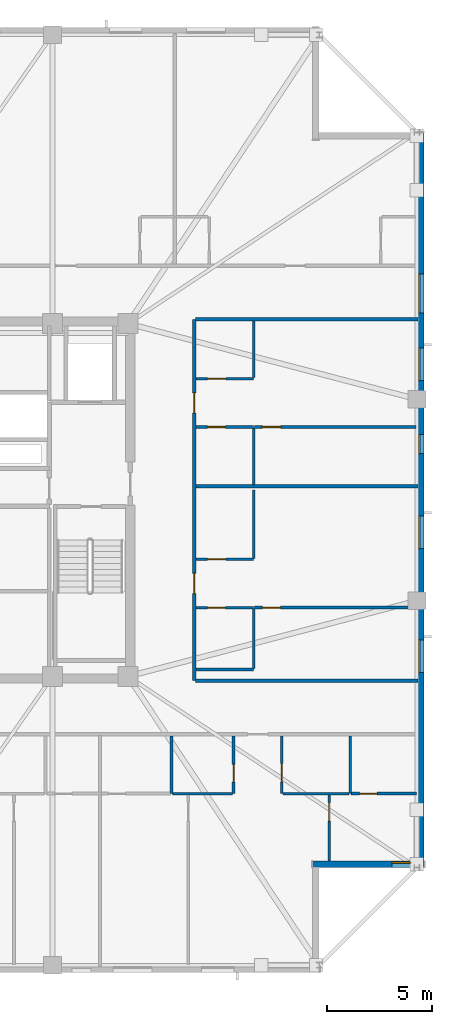
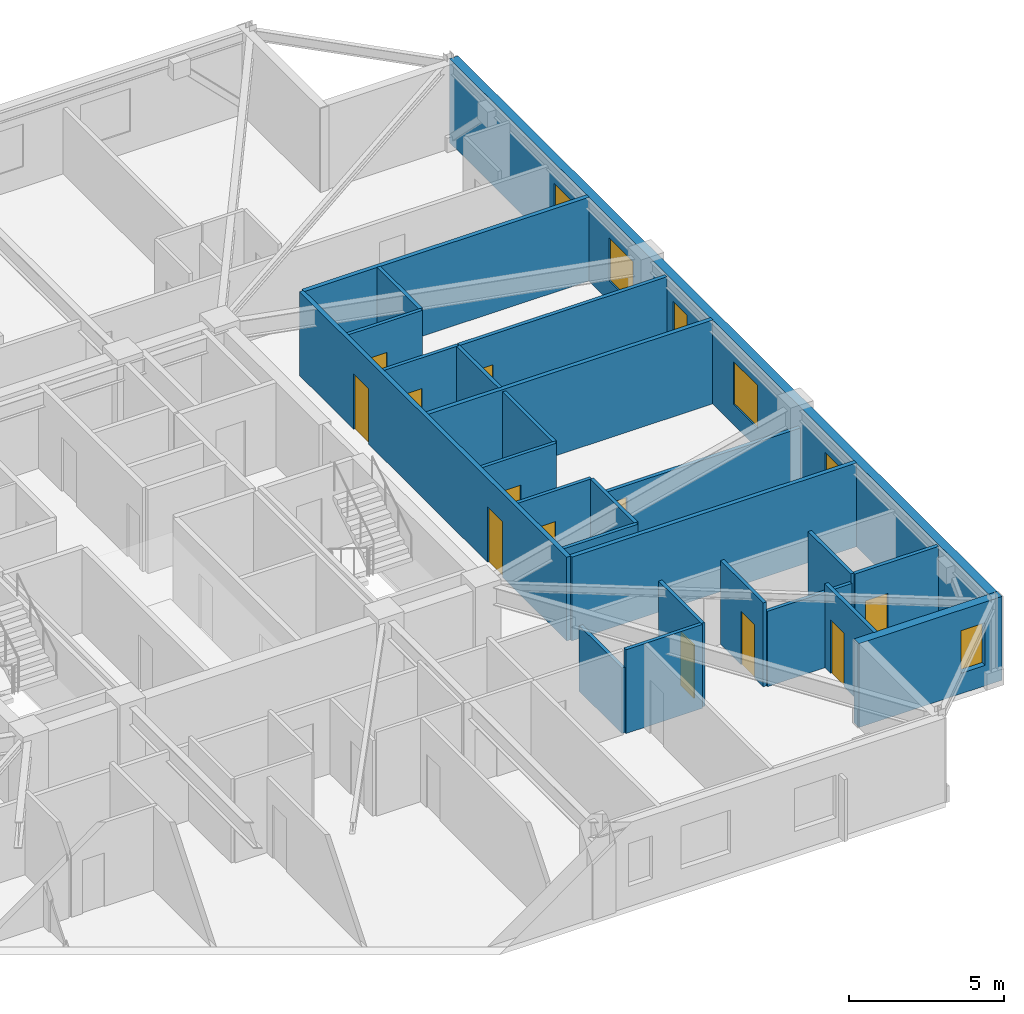
# One storey, part 10 of 17: 25 walls, 12 doors, 6 windows, 18 openings.
"""IFC4 building model written with IfcOpenShell, lengths in metres."""

from ifc_helpers import new_model, si_unit, direction, frame, frame_2d, origin, place, context, subcontext, project, spatial, rectangle, extrude, material, layer, layer_set, type_object, element, fill, save


model = new_model("IFC4")

# Units and contexts
model_context = context("Model", 3, precision=1e-05, world=origin(), true_north=direction((0.0, 1.0)))
body_context = subcontext(model_context, "Body", "Model", "MODEL_VIEW")
ifc_project = project(units=[si_unit("LENGTHUNIT", "METRE"), si_unit("AREAUNIT", "SQUARE_METRE"), si_unit("VOLUMEUNIT", "CUBIC_METRE"), si_unit("PLANEANGLEUNIT", "RADIAN"), si_unit("MASSUNIT", "GRAM", prefix="KILO")], contexts=[model_context])

# Site, building, storey
site_placement = place(None, origin())
site = spatial("IfcSite", under=ifc_project, at=site_placement, CompositionType="ELEMENT")
building_placement = place(site_placement, origin())
building = spatial("IfcBuilding", under=site, at=building_placement, Name="Cairnveth Concourse Tower", CompositionType="ELEMENT")
storey_placement = place(building_placement, frame((0.0, 0.0, 262.0)))
storey = spatial("IfcBuildingStorey", under=building, at=storey_placement, Name="L72", CompositionType="ELEMENT", Elevation=262.0)

# Wall, openings, doors
ifc_material_1 = material(Name="Gypsum Plasterboard Partition", Category="gypsum")
ifc_layer_1 = layer(ifc_material_1, 0.159912109375)
ifc_layer_set_1 = layer_set([ifc_layer_1], Name="Gypsum Plasterboard Partition")
wall_type_1 = type_object("IfcWallType", Name="ACOUSTIC PARTY WALL 180", PredefinedType="PARTITIONING", material=ifc_layer_set_1)
wall_1_placement = place(storey_placement, frame((63.550048828125, 30.39990234375, 0.0), z_axis=(0.0, 0.0, 1.0), x_axis=(0.0, 1.0, 0.0)))
wall_1 = element("IfcWall", 1, at=wall_1_placement, inside=storey, type_object=wall_type_1, Name="Interior Wall IW-L72-037", PredefinedType="PARTITIONING", context=body_context, shape_type="SweptSolid", body=[
    extrude(rectangle(XDim=17.2001953125, YDim=0.159912109375, at=frame_2d((8.60009765625, 0.0))), origin(), (0.0, 0.0, 1.0), 3.2900390625),
])
opening_1_placement = place(wall_1_placement, frame((4.14501953125, 0.0, 0.0)))
opening_1 = element("IfcOpeningElement", 2, at=opening_1_placement, cuts=wall_1, Name="Opening ID10", PredefinedType="OPENING", context=body_context, shape_type="SweptSolid", body=[
    extrude(rectangle(XDim=0.9599609375, YDim=2.179931640625, at=frame_2d((0.47998046875, 1.08984375))), frame((0.0, 0.08984375, 0.0), z_axis=(0.0, -1.0, 0.0), x_axis=(1.0, 0.0, 0.0)), (0.0, 0.0, 1.0), 0.179931640625),
])
opening_2_placement = place(wall_1_placement, frame((12.7451171875, 0.0, 0.0)))
opening_2 = element("IfcOpeningElement", 3, at=opening_2_placement, cuts=wall_1, Name="Opening ID10", PredefinedType="OPENING", context=body_context, shape_type="SweptSolid", body=[
    extrude(rectangle(XDim=0.9599609375, YDim=2.179931640625, at=frame_2d((0.47998046875, 1.08984375))), frame((0.0, 0.08984375, 0.0), z_axis=(0.0, -1.0, 0.0), x_axis=(1.0, 0.0, 0.0)), (0.0, 0.0, 1.0), 0.179931640625),
])
ifc_material_2 = material(Name="Solid Core Hardwood Timber Leaf", Category="wood")
door_type_1 = type_object("IfcDoorType", Name="FLAT ENTRANCE DOOR 960X2150", OperationType="NOTDEFINED", PredefinedType="DOOR", material=ifc_material_2)
door_1_placement = place(opening_1_placement, origin())
door_1 = element("IfcDoor", 4, at=door_1_placement, inside=storey, type_object=door_type_1, Name="Apartment L72E1 Entrance Door", OperationType="SINGLE_SWING_LEFT", OverallHeight=2.179931640625, OverallWidth=0.9599609375, PredefinedType="DOOR", context=body_context, shape_type="SweptSolid", body=[
    extrude(rectangle(XDim=0.9599609375, YDim=2.179931640625, at=frame_2d((0.47998046875, 1.08984375))), frame((0.0, 0.02490234375, 0.0), z_axis=(0.0, -1.0, 0.0), x_axis=(1.0, 0.0, 0.0)), (0.0, 0.0, 1.0), 0.050048828125),
])
fill(opening_1, door_1)
door_2_placement = place(opening_2_placement, origin())
door_2 = element("IfcDoor", 5, at=door_2_placement, inside=storey, type_object=door_type_1, Name="Apartment L72E2 Entrance Door", OperationType="SINGLE_SWING_LEFT", OverallHeight=2.179931640625, OverallWidth=0.9599609375, PredefinedType="DOOR", context=body_context, shape_type="SweptSolid", body=[
    extrude(rectangle(XDim=0.9599609375, YDim=2.179931640625, at=frame_2d((0.47998046875, 1.08984375))), frame((0.0, 0.02490234375, 0.0), z_axis=(0.0, -1.0, 0.0), x_axis=(1.0, 0.0, 0.0)), (0.0, 0.0, 1.0), 0.050048828125),
])
fill(opening_2, door_2)

# Walls
for number, where, z_axis, x_axis, name in (
    (6, (63.614990234375, 30.39990234375, 0.0), (0.0, 0.0, 1.0), (1.0, 0.0, 0.0), "Interior Wall IW-L72-040"),
    (7, (63.614990234375, 47.60009765625, 0.0), (0.0, 0.0, 1.0), (1.0, 0.0, 0.0), "Interior Wall IW-L72-041"),
):
    element("IfcWall", number, at=place(storey_placement, frame(where, z_axis=z_axis, x_axis=x_axis)), inside=storey, type_object=wall_type_1, Name=name, PredefinedType="PARTITIONING", context=body_context, shape_type="SweptSolid", body=[
        extrude(rectangle(XDim=10.580078125, YDim=0.159912109375, at=frame_2d((5.2900390625, 0.0))), origin(), (0.0, 0.0, 1.0), 3.2900390625),
    ])
wall_2_placement = place(storey_placement, frame((63.6298828125, 39.64990234375, 0.0), z_axis=(0.0, 0.0, 1.0), x_axis=(1.0, 0.0, 0.0)))
element("IfcWall", 8, at=wall_2_placement, inside=storey, type_object=wall_type_1, Name="Interior Wall IW-L72-102", PredefinedType="PARTITIONING", context=body_context, shape_type="SweptSolid", body=[
    extrude(rectangle(XDim=10.565185546875, YDim=0.159912109375, at=frame_2d((5.28271484375, 0.0))), origin(), (0.0, 0.0, 1.0), 3.2900390625),
])

# Wall, opening, door
ifc_layer_2 = layer(ifc_material_1, 0.139892578125)
ifc_layer_set_2 = layer_set([ifc_layer_2], Name="Gypsum Plasterboard Partition")
wall_type_2 = type_object("IfcWallType", Name="GYPSUM STUD PARTITION 140", PredefinedType="PARTITIONING", material=ifc_layer_set_2)
wall_3_placement = place(storey_placement, frame((69.97998046875, 21.804931640625, 0.0), z_axis=(0.0, 0.0, 1.0), x_axis=(0.0, 1.0, 0.0)))
wall_3 = element("IfcWall", 9, at=wall_3_placement, inside=storey, type_object=wall_type_2, Name="Interior Wall IW-L72-070", PredefinedType="PARTITIONING", context=body_context, shape_type="SweptSolid", body=[
    extrude(rectangle(XDim=3.16259765625, YDim=0.139892578125, at=frame_2d((1.581298828125, 0.0))), origin(), (0.0, 0.0, 1.0), 3.2900390625),
])
opening_3_placement = place(wall_3_placement, frame((1.902587890625, 0.0, 0.0)))
opening_3 = element("IfcOpeningElement", 10, at=opening_3_placement, cuts=wall_3, Name="Opening ID18", PredefinedType="OPENING", context=body_context, shape_type="SweptSolid", body=[
    extrude(rectangle(XDim=0.8798828125, YDim=2.10009765625, at=frame_2d((0.43994140625, 1.050048828125))), frame((0.0, 0.079833984375, 0.0), z_axis=(0.0, -1.0, 0.0), x_axis=(1.0, 0.0, 0.0)), (0.0, 0.0, 1.0), 0.159912109375),
])
door_type_2 = type_object("IfcDoorType", Name="INTERIOR SINGLE DOOR 880X2100", OperationType="NOTDEFINED", PredefinedType="DOOR", material=ifc_material_2)
door_3_placement = place(opening_3_placement, origin())
door_3 = element("IfcDoor", 11, at=door_3_placement, inside=storey, type_object=door_type_2, Name="L72S3 Bedroom 2 Door", OperationType="SINGLE_SWING_RIGHT", OverallHeight=2.10009765625, OverallWidth=0.8798828125, PredefinedType="DOOR", context=body_context, shape_type="SweptSolid", body=[
    extrude(rectangle(XDim=0.8798828125, YDim=2.10009765625, at=frame_2d((0.43994140625, 1.050048828125))), frame((0.0, 0.02490234375, 0.0), z_axis=(0.0, -1.0, 0.0), x_axis=(1.0, 0.0, 0.0)), (0.0, 0.0, 1.0), 0.050048828125),
])
fill(opening_3, door_3)

wall_4_placement = place(storey_placement, frame((71.023681640625, 25.017578125, 0.0), z_axis=(0.0, 0.0, 1.0), x_axis=(1.0, 0.0, 0.0)))
wall_4 = element("IfcWall", 12, at=wall_4_placement, inside=storey, type_object=wall_type_2, Name="Interior Wall IW-L72-071", PredefinedType="PARTITIONING", context=body_context, shape_type="SweptSolid", body=[
    extrude(rectangle(XDim=3.106201171875, YDim=0.139892578125, at=frame_2d((1.55322265625, 0.0))), origin(), (0.0, 0.0, 1.0), 3.2900390625),
])
opening_4_placement = place(wall_4_placement, frame((0.39990234375, 0.0, 0.0)))
opening_4 = element("IfcOpeningElement", 13, at=opening_4_placement, cuts=wall_4, Name="Opening ID22", PredefinedType="OPENING", context=body_context, shape_type="SweptSolid", body=[
    extrude(rectangle(XDim=0.820068359375, YDim=2.10009765625, at=frame_2d((0.41015625, 1.050048828125))), frame((0.0, 0.079833984375, 0.0), z_axis=(0.0, -1.0, 0.0), x_axis=(1.0, 0.0, 0.0)), (0.0, 0.0, 1.0), 0.159912109375),
])
door_type_3 = type_object("IfcDoorType", Name="INTERIOR WC DOOR 820X2100", OperationType="NOTDEFINED", PredefinedType="DOOR", material=ifc_material_2)
door_4_placement = place(opening_4_placement, origin())
door_4 = element("IfcDoor", 14, at=door_4_placement, inside=storey, type_object=door_type_3, Name="L72S3 Utility Door", OperationType="SINGLE_SWING_LEFT", OverallHeight=2.10009765625, OverallWidth=0.820068359375, PredefinedType="DOOR", context=body_context, shape_type="SweptSolid", body=[
    extrude(rectangle(XDim=0.820068359375, YDim=2.10009765625, at=frame_2d((0.41015625, 1.050048828125))), frame((0.0, 0.02490234375, 0.0), z_axis=(0.0, -1.0, 0.0), x_axis=(1.0, 0.0, 0.0)), (0.0, 0.0, 1.0), 0.050048828125),
])
fill(opening_4, door_4)

wall_5_placement = place(storey_placement, frame((66.429931640625, 33.875, 0.0), z_axis=(0.0, 0.0, 1.0), x_axis=(1.0, 0.0, 0.0)))
wall_5 = element("IfcWall", 15, at=wall_5_placement, inside=storey, type_object=wall_type_2, Name="Interior Wall IW-L72-108", PredefinedType="PARTITIONING", context=body_context, shape_type="SweptSolid", body=[
    extrude(rectangle(XDim=7.690185546875, YDim=0.139892578125, at=frame_2d((3.84521484375, 0.0))), origin(), (0.0, 0.0, 1.0), 2.572998046875),
])
opening_5_placement = place(wall_5_placement, frame((0.360107421875, 0.0, 0.0)))
opening_5 = element("IfcOpeningElement", 16, at=opening_5_placement, cuts=wall_5, Name="Opening ID18", PredefinedType="OPENING", context=body_context, shape_type="SweptSolid", body=[
    extrude(rectangle(XDim=0.8798828125, YDim=2.10009765625, at=frame_2d((0.43994140625, 1.050048828125))), frame((0.0, 0.079833984375, 0.0), z_axis=(0.0, -1.0, 0.0), x_axis=(1.0, 0.0, 0.0)), (0.0, 0.0, 1.0), 0.159912109375),
])
door_5_placement = place(opening_5_placement, origin())
door_5 = element("IfcDoor", 17, at=door_5_placement, inside=storey, type_object=door_type_2, Name="L72E1 Master Bedroom Door", OperationType="SINGLE_SWING_RIGHT", OverallHeight=2.10009765625, OverallWidth=0.8798828125, PredefinedType="DOOR", context=body_context, shape_type="SweptSolid", body=[
    extrude(rectangle(XDim=0.8798828125, YDim=2.10009765625, at=frame_2d((0.43994140625, 1.050048828125))), frame((0.0, 0.02490234375, 0.0), z_axis=(0.0, -1.0, 0.0), x_axis=(1.0, 0.0, 0.0)), (0.0, 0.0, 1.0), 0.050048828125),
])
fill(opening_5, door_5)

wall_6_placement = place(storey_placement, frame((66.429931640625, 42.47509765625, 0.0), z_axis=(0.0, 0.0, 1.0), x_axis=(1.0, 0.0, 0.0)))
wall_6 = element("IfcWall", 18, at=wall_6_placement, inside=storey, type_object=wall_type_2, Name="Interior Wall IW-L72-113", PredefinedType="PARTITIONING", context=body_context, shape_type="SweptSolid", body=[
    extrude(rectangle(XDim=7.690185546875, YDim=0.139892578125, at=frame_2d((3.84521484375, 0.0))), origin(), (0.0, 0.0, 1.0), 3.2900390625),
])
opening_6_placement = place(wall_6_placement, frame((0.360107421875, 0.0, 0.0)))
opening_6 = element("IfcOpeningElement", 19, at=opening_6_placement, cuts=wall_6, Name="Opening ID18", PredefinedType="OPENING", context=body_context, shape_type="SweptSolid", body=[
    extrude(rectangle(XDim=0.8798828125, YDim=2.10009765625, at=frame_2d((0.43994140625, 1.050048828125))), frame((0.0, 0.079833984375, 0.0), z_axis=(0.0, -1.0, 0.0), x_axis=(1.0, 0.0, 0.0)), (0.0, 0.0, 1.0), 0.159912109375),
])
door_6_placement = place(opening_6_placement, origin())
door_6 = element("IfcDoor", 20, at=door_6_placement, inside=storey, type_object=door_type_2, Name="L72E2 Master Bedroom Door", OperationType="SINGLE_SWING_RIGHT", OverallHeight=2.10009765625, OverallWidth=0.8798828125, PredefinedType="DOOR", context=body_context, shape_type="SweptSolid", body=[
    extrude(rectangle(XDim=0.8798828125, YDim=2.10009765625, at=frame_2d((0.43994140625, 1.050048828125))), frame((0.0, 0.02490234375, 0.0), z_axis=(0.0, -1.0, 0.0), x_axis=(1.0, 0.0, 0.0)), (0.0, 0.0, 1.0), 0.050048828125),
])
fill(opening_6, door_6)

# Wall
ifc_layer_3 = layer(ifc_material_1, 0.1298828125)
ifc_layer_set_3 = layer_set([ifc_layer_3], Name="Gypsum Plasterboard Partition")
wall_type_3 = type_object("IfcWallType", Name="WET AREA PARTITION 140", PredefinedType="PLUMBINGWALL", material=ifc_layer_set_3)
wall_7_placement = place(storey_placement, frame((62.4736328125, 25.017578125, 0.0), z_axis=(0.0, 0.0, 1.0), x_axis=(0.0, 1.0, 0.0)))
element("IfcWall", 21, at=wall_7_placement, inside=storey, type_object=wall_type_3, Name="Interior Wall IW-L72-062", PredefinedType="PLUMBINGWALL", context=body_context, shape_type="SweptSolid", body=[
    extrude(rectangle(XDim=2.75, YDim=0.1298828125, at=frame_2d((1.375, 0.0))), origin(), (0.0, 0.0, 1.0), 2.572998046875),
])

# Wall, opening, door
wall_8_placement = place(storey_placement, frame((65.423583984375, 25.017578125, 0.0), z_axis=(0.0, 0.0, 1.0), x_axis=(0.0, 1.0, 0.0)))
wall_8 = element("IfcWall", 22, at=wall_8_placement, inside=storey, type_object=wall_type_3, Name="Interior Wall IW-L72-063", PredefinedType="PLUMBINGWALL", context=body_context, shape_type="SweptSolid", body=[
    extrude(rectangle(XDim=2.75, YDim=0.1298828125, at=frame_2d((1.375, 0.0))), origin(), (0.0, 0.0, 1.0), 3.2900390625),
])
opening_7_placement = place(wall_8_placement, frame((0.550048828125, 0.0, 0.0)))
opening_7 = element("IfcOpeningElement", 23, at=opening_7_placement, cuts=wall_8, Name="Opening ID21", PredefinedType="OPENING", context=body_context, shape_type="SweptSolid", body=[
    extrude(rectangle(XDim=0.85009765625, YDim=2.080078125, at=frame_2d((0.425048828125, 1.0400390625))), frame((0.0, 0.074951171875, 0.0), z_axis=(0.0, -1.0, 0.0), x_axis=(1.0, 0.0, 0.0)), (0.0, 0.0, 1.0), 0.14990234375),
])
door_type_4 = type_object("IfcDoorType", Name="INTERIOR WC DOOR 850X2100", OperationType="NOTDEFINED", PredefinedType="DOOR", material=ifc_material_2)
door_7_placement = place(opening_7_placement, origin())
door_7 = element("IfcDoor", 24, at=door_7_placement, inside=storey, type_object=door_type_4, Name="L72S3 Bathroom Door", OperationType="SINGLE_SWING_LEFT", OverallHeight=2.080078125, OverallWidth=0.85009765625, PredefinedType="DOOR", context=body_context, shape_type="SweptSolid", body=[
    extrude(rectangle(XDim=0.85009765625, YDim=2.080078125, at=frame_2d((0.425048828125, 1.0400390625))), frame((0.0, 0.02490234375, 0.0), z_axis=(0.0, -1.0, 0.0), x_axis=(1.0, 0.0, 0.0)), (0.0, 0.0, 1.0), 0.050048828125),
])
fill(opening_7, door_7)

# Walls
wall_9_placement = place(storey_placement, frame((62.523681640625, 25.017578125, 0.0), z_axis=(0.0, 0.0, 1.0), x_axis=(1.0, 0.0, 0.0)))
element("IfcWall", 25, at=wall_9_placement, inside=storey, type_object=wall_type_3, Name="Interior Wall IW-L72-064", PredefinedType="PLUMBINGWALL", context=body_context, shape_type="SweptSolid", body=[
    extrude(rectangle(XDim=2.85009765625, YDim=0.1298828125, at=frame_2d((1.425048828125, 0.0))), origin(), (0.0, 0.0, 1.0), 3.2900390625),
])
wall_10_placement = place(storey_placement, frame((70.973876953125, 25.017578125, 0.0), z_axis=(0.0, 0.0, 1.0), x_axis=(0.0, 1.0, 0.0)))
element("IfcWall", 26, at=wall_10_placement, inside=storey, type_object=wall_type_3, Name="Interior Wall IW-L72-065", PredefinedType="PLUMBINGWALL", context=body_context, shape_type="SweptSolid", body=[
    extrude(rectangle(XDim=2.75, YDim=0.1298828125, at=frame_2d((1.375, 0.0))), origin(), (0.0, 0.0, 1.0), 3.2900390625),
])

# Wall, opening, door
wall_11_placement = place(storey_placement, frame((67.723876953125, 25.017578125, 0.0), z_axis=(0.0, 0.0, 1.0), x_axis=(0.0, 1.0, 0.0)))
wall_11 = element("IfcWall", 27, at=wall_11_placement, inside=storey, type_object=wall_type_3, Name="Interior Wall IW-L72-066", PredefinedType="PLUMBINGWALL", context=body_context, shape_type="SweptSolid", body=[
    extrude(rectangle(XDim=2.75, YDim=0.1298828125, at=frame_2d((1.375, 0.0))), origin(), (0.0, 0.0, 1.0), 3.2900390625),
])
opening_8_placement = place(wall_11_placement, frame((0.550048828125, 0.0, 0.0)))
opening_8 = element("IfcOpeningElement", 28, at=opening_8_placement, cuts=wall_11, Name="Opening ID18", PredefinedType="OPENING", context=body_context, shape_type="SweptSolid", body=[
    extrude(rectangle(XDim=0.8798828125, YDim=2.10009765625, at=frame_2d((0.43994140625, 1.050048828125))), frame((0.0, 0.074951171875, 0.0), z_axis=(0.0, -1.0, 0.0), x_axis=(1.0, 0.0, 0.0)), (0.0, 0.0, 1.0), 0.14990234375),
])
door_8_placement = place(opening_8_placement, origin())
door_8 = element("IfcDoor", 29, at=door_8_placement, inside=storey, type_object=door_type_2, Name="L72S3 Kitchen Door", OperationType="SINGLE_SWING_RIGHT", OverallHeight=2.10009765625, OverallWidth=0.8798828125, PredefinedType="DOOR", context=body_context, shape_type="SweptSolid", body=[
    extrude(rectangle(XDim=0.8798828125, YDim=2.10009765625, at=frame_2d((0.43994140625, 1.050048828125))), frame((0.0, 0.02490234375, 0.0), z_axis=(0.0, -1.0, 0.0), x_axis=(1.0, 0.0, 0.0)), (0.0, 0.0, 1.0), 0.050048828125),
])
fill(opening_8, door_8)

# Walls
wall_12_placement = place(storey_placement, frame((67.773681640625, 25.017578125, 0.0), z_axis=(0.0, 0.0, 1.0), x_axis=(1.0, 0.0, 0.0)))
element("IfcWall", 30, at=wall_12_placement, inside=storey, type_object=wall_type_3, Name="Interior Wall IW-L72-067", PredefinedType="PLUMBINGWALL", context=body_context, shape_type="SweptSolid", body=[
    extrude(rectangle(XDim=3.150146484375, YDim=0.1298828125, at=frame_2d((1.5751953125, 0.0))), origin(), (0.0, 0.0, 1.0), 2.9580078125),
])
wall_13_placement = place(storey_placement, frame((63.6298828125, 30.925048828125, 0.0), z_axis=(0.0, 0.0, 1.0), x_axis=(1.0, 0.0, 0.0)))
element("IfcWall", 31, at=wall_13_placement, inside=storey, type_object=wall_type_3, Name="Interior Wall IW-L72-103", PredefinedType="PLUMBINGWALL", context=body_context, shape_type="SweptSolid", body=[
    extrude(rectangle(XDim=2.75, YDim=0.1298828125, at=frame_2d((1.375, 0.0))), origin(), (0.0, 0.0, 1.0), 3.2900390625),
])

# Wall, opening, door
wall_14_placement = place(storey_placement, frame((63.6298828125, 33.875, 0.0), z_axis=(0.0, 0.0, 1.0), x_axis=(1.0, 0.0, 0.0)))
wall_14 = element("IfcWall", 32, at=wall_14_placement, inside=storey, type_object=wall_type_3, Name="Interior Wall IW-L72-104", PredefinedType="PLUMBINGWALL", context=body_context, shape_type="SweptSolid", body=[
    extrude(rectangle(XDim=2.75, YDim=0.1298828125, at=frame_2d((1.375, 0.0))), origin(), (0.0, 0.0, 1.0), 3.2900390625),
])
opening_9_placement = place(wall_14_placement, frame((0.550048828125, 0.0, 0.0)))
opening_9 = element("IfcOpeningElement", 33, at=opening_9_placement, cuts=wall_14, Name="Opening ID21", PredefinedType="OPENING", context=body_context, shape_type="SweptSolid", body=[
    extrude(rectangle(XDim=0.85009765625, YDim=2.080078125, at=frame_2d((0.425048828125, 1.0400390625))), frame((0.0, 0.074951171875, 0.0), z_axis=(0.0, -1.0, 0.0), x_axis=(1.0, 0.0, 0.0)), (0.0, 0.0, 1.0), 0.14990234375),
])
door_9_placement = place(opening_9_placement, origin())
door_9 = element("IfcDoor", 34, at=door_9_placement, inside=storey, type_object=door_type_4, Name="L72E1 Bathroom Door", OperationType="SINGLE_SWING_RIGHT", OverallHeight=2.080078125, OverallWidth=0.85009765625, PredefinedType="DOOR", context=body_context, shape_type="SweptSolid", body=[
    extrude(rectangle(XDim=0.85009765625, YDim=2.080078125, at=frame_2d((0.425048828125, 1.0400390625))), frame((0.0, 0.02490234375, 0.0), z_axis=(0.0, -1.0, 0.0), x_axis=(1.0, 0.0, 0.0)), (0.0, 0.0, 1.0), 0.050048828125),
])
fill(opening_9, door_9)

# Wall
wall_15_placement = place(storey_placement, frame((66.3798828125, 30.97509765625, 0.0), z_axis=(0.0, 0.0, 1.0), x_axis=(0.0, 1.0, 0.0)))
element("IfcWall", 35, at=wall_15_placement, inside=storey, type_object=wall_type_3, Name="Interior Wall IW-L72-105", PredefinedType="PLUMBINGWALL", context=body_context, shape_type="SweptSolid", body=[
    extrude(rectangle(XDim=2.849853515625, YDim=0.1298828125, at=frame_2d((1.4248046875, 0.0))), origin(), (0.0, 0.0, 1.0), 3.2900390625),
])

# Wall, opening, door
wall_16_placement = place(storey_placement, frame((63.6298828125, 36.175048828125, 0.0), z_axis=(0.0, 0.0, 1.0), x_axis=(1.0, 0.0, 0.0)))
wall_16 = element("IfcWall", 36, at=wall_16_placement, inside=storey, type_object=wall_type_3, Name="Interior Wall IW-L72-106", PredefinedType="PLUMBINGWALL", context=body_context, shape_type="SweptSolid", body=[
    extrude(rectangle(XDim=2.75, YDim=0.1298828125, at=frame_2d((1.375, 0.0))), origin(), (0.0, 0.0, 1.0), 3.2900390625),
])
opening_10_placement = place(wall_16_placement, frame((0.550048828125, 0.0, 0.0)))
opening_10 = element("IfcOpeningElement", 37, at=opening_10_placement, cuts=wall_16, Name="Opening ID18", PredefinedType="OPENING", context=body_context, shape_type="SweptSolid", body=[
    extrude(rectangle(XDim=0.8798828125, YDim=2.10009765625, at=frame_2d((0.43994140625, 1.050048828125))), frame((0.0, 0.074951171875, 0.0), z_axis=(0.0, -1.0, 0.0), x_axis=(1.0, 0.0, 0.0)), (0.0, 0.0, 1.0), 0.14990234375),
])
door_10_placement = place(opening_10_placement, origin())
door_10 = element("IfcDoor", 38, at=door_10_placement, inside=storey, type_object=door_type_2, Name="L72E1 Kitchen Door", OperationType="SINGLE_SWING_LEFT", OverallHeight=2.10009765625, OverallWidth=0.8798828125, PredefinedType="DOOR", context=body_context, shape_type="SweptSolid", body=[
    extrude(rectangle(XDim=0.8798828125, YDim=2.10009765625, at=frame_2d((0.43994140625, 1.050048828125))), frame((0.0, 0.02490234375, 0.0), z_axis=(0.0, -1.0, 0.0), x_axis=(1.0, 0.0, 0.0)), (0.0, 0.0, 1.0), 0.050048828125),
])
fill(opening_10, door_10)

# Wall
wall_17_placement = place(storey_placement, frame((66.3798828125, 36.22509765625, 0.0), z_axis=(0.0, 0.0, 1.0), x_axis=(0.0, 1.0, 0.0)))
element("IfcWall", 39, at=wall_17_placement, inside=storey, type_object=wall_type_3, Name="Interior Wall IW-L72-107", PredefinedType="PLUMBINGWALL", context=body_context, shape_type="SweptSolid", body=[
    extrude(rectangle(XDim=3.239990234375, YDim=0.1298828125, at=frame_2d((1.6201171875, 0.0))), origin(), (0.0, 0.0, 1.0), 3.2900390625),
])

# Wall, opening, door
wall_18_placement = place(storey_placement, frame((63.6298828125, 42.47509765625, 0.0), z_axis=(0.0, 0.0, 1.0), x_axis=(1.0, 0.0, 0.0)))
wall_18 = element("IfcWall", 40, at=wall_18_placement, inside=storey, type_object=wall_type_3, Name="Interior Wall IW-L72-109", PredefinedType="PLUMBINGWALL", context=body_context, shape_type="SweptSolid", body=[
    extrude(rectangle(XDim=2.75, YDim=0.1298828125, at=frame_2d((1.375, 0.0))), origin(), (0.0, 0.0, 1.0), 3.2900390625),
])
opening_11_placement = place(wall_18_placement, frame((0.550048828125, 0.0, 0.0)))
opening_11 = element("IfcOpeningElement", 41, at=opening_11_placement, cuts=wall_18, Name="Opening ID21", PredefinedType="OPENING", context=body_context, shape_type="SweptSolid", body=[
    extrude(rectangle(XDim=0.85009765625, YDim=2.080078125, at=frame_2d((0.425048828125, 1.0400390625))), frame((0.0, 0.074951171875, 0.0), z_axis=(0.0, -1.0, 0.0), x_axis=(1.0, 0.0, 0.0)), (0.0, 0.0, 1.0), 0.14990234375),
])
door_11_placement = place(opening_11_placement, origin())
door_11 = element("IfcDoor", 42, at=door_11_placement, inside=storey, type_object=door_type_4, Name="L72E2 Bathroom Door", OperationType="SINGLE_SWING_RIGHT", OverallHeight=2.080078125, OverallWidth=0.85009765625, PredefinedType="DOOR", context=body_context, shape_type="SweptSolid", body=[
    extrude(rectangle(XDim=0.85009765625, YDim=2.080078125, at=frame_2d((0.425048828125, 1.0400390625))), frame((0.0, 0.02490234375, 0.0), z_axis=(0.0, -1.0, 0.0), x_axis=(1.0, 0.0, 0.0)), (0.0, 0.0, 1.0), 0.050048828125),
])
fill(opening_11, door_11)

# Wall
wall_19_placement = place(storey_placement, frame((66.3798828125, 39.715087890625, 0.0), z_axis=(0.0, 0.0, 1.0), x_axis=(0.0, 1.0, 0.0)))
element("IfcWall", 43, at=wall_19_placement, inside=storey, type_object=wall_type_3, Name="Interior Wall IW-L72-110", PredefinedType="PLUMBINGWALL", context=body_context, shape_type="SweptSolid", body=[
    extrude(rectangle(XDim=2.7099609375, YDim=0.1298828125, at=frame_2d((1.35498046875, 0.0))), origin(), (0.0, 0.0, 1.0), 3.2900390625),
])

# Wall, opening, door
wall_20_placement = place(storey_placement, frame((63.6298828125, 44.77490234375, 0.0), z_axis=(0.0, 0.0, 1.0), x_axis=(1.0, 0.0, 0.0)))
wall_20 = element("IfcWall", 44, at=wall_20_placement, inside=storey, type_object=wall_type_3, Name="Interior Wall IW-L72-111", PredefinedType="PLUMBINGWALL", context=body_context, shape_type="SweptSolid", body=[
    extrude(rectangle(XDim=2.75, YDim=0.1298828125, at=frame_2d((1.375, 0.0))), origin(), (0.0, 0.0, 1.0), 3.2900390625),
])
opening_12_placement = place(wall_20_placement, frame((0.550048828125, 0.0, 0.0)))
opening_12 = element("IfcOpeningElement", 45, at=opening_12_placement, cuts=wall_20, Name="Opening ID18", PredefinedType="OPENING", context=body_context, shape_type="SweptSolid", body=[
    extrude(rectangle(XDim=0.8798828125, YDim=2.10009765625, at=frame_2d((0.43994140625, 1.050048828125))), frame((0.0, 0.074951171875, 0.0), z_axis=(0.0, -1.0, 0.0), x_axis=(1.0, 0.0, 0.0)), (0.0, 0.0, 1.0), 0.14990234375),
])
door_12_placement = place(opening_12_placement, origin())
door_12 = element("IfcDoor", 46, at=door_12_placement, inside=storey, type_object=door_type_2, Name="L72E2 Kitchen Door", OperationType="SINGLE_SWING_LEFT", OverallHeight=2.10009765625, OverallWidth=0.8798828125, PredefinedType="DOOR", context=body_context, shape_type="SweptSolid", body=[
    extrude(rectangle(XDim=0.8798828125, YDim=2.10009765625, at=frame_2d((0.43994140625, 1.050048828125))), frame((0.0, 0.02490234375, 0.0), z_axis=(0.0, -1.0, 0.0), x_axis=(1.0, 0.0, 0.0)), (0.0, 0.0, 1.0), 0.050048828125),
])
fill(opening_12, door_12)

# Wall
wall_21_placement = place(storey_placement, frame((66.3798828125, 44.824951171875, 0.0), z_axis=(0.0, 0.0, 1.0), x_axis=(0.0, 1.0, 0.0)))
element("IfcWall", 47, at=wall_21_placement, inside=storey, type_object=wall_type_3, Name="Interior Wall IW-L72-112", PredefinedType="PLUMBINGWALL", context=body_context, shape_type="SweptSolid", body=[
    extrude(rectangle(XDim=2.7099609375, YDim=0.1298828125, at=frame_2d((1.35498046875, 0.0))), origin(), (0.0, 0.0, 1.0), 3.2900390625),
])

# Wall, openings, windows
ifc_material_3 = material(Name="Melbourne Buff Fired Clay Brick Masonry", Category="masonry")
ifc_layer_4 = layer(ifc_material_3, 0.320068359375)
ifc_layer_set_4 = layer_set([ifc_layer_4], Name="Melbourne Buff Fired Clay Brick Masonry")
wall_type_4 = type_object("IfcWallType", Name="ZONE 3 BRICK PIER SPANDREL WALL 320", PredefinedType="SOLIDWALL", material=ifc_layer_set_4)
wall_22_placement = place(storey_placement, frame((74.340087890625, 56.5, 0.0), z_axis=(0.0, 0.0, 1.0), x_axis=(0.0, -1.0, 0.0)))
wall_22 = element("IfcWall", 48, at=wall_22_placement, inside=storey, type_object=wall_type_4, Name="Exterior Wall EW-L72-S09", PredefinedType="SOLIDWALL", context=body_context, shape_type="SweptSolid", body=[
    extrude(rectangle(XDim=34.701904296875, YDim=0.320068359375, at=frame_2d((17.35107421875, 0.0))), origin(), (0.0, 0.0, 1.0), 3.2900390625),
])
opening_13_placement = place(wall_22_placement, frame((6.73779296875, 0.0, 0.800048828125)))
opening_13 = element("IfcOpeningElement", 49, at=opening_13_placement, cuts=wall_22, Name="Opening W08", PredefinedType="OPENING", context=body_context, shape_type="SweptSolid", body=[
    extrude(rectangle(XDim=1.85009765625, YDim=1.677978515625, at=frame_2d((0.925048828125, 0.8388671875))), frame((0.0, 0.169921875, 0.0), z_axis=(0.0, -1.0, 0.0), x_axis=(1.0, 0.0, 0.0)), (0.0, 0.0, 1.0), 0.340087890625),
])
opening_14_placement = place(wall_22_placement, frame((10.26318359375, 0.0, 0.800048828125)))
opening_14 = element("IfcOpeningElement", 50, at=opening_14_placement, cuts=wall_22, Name="Opening W07", PredefinedType="OPENING", context=body_context, shape_type="SweptSolid", body=[
    extrude(rectangle(XDim=1.550048828125, YDim=1.677978515625, at=frame_2d((0.77490234375, 0.8388671875))), frame((0.0, 0.169921875, 0.0), z_axis=(0.0, -1.0, 0.0), x_axis=(1.0, 0.0, 0.0)), (0.0, 0.0, 1.0), 0.340087890625),
])
opening_15_placement = place(wall_22_placement, frame((18.263671875, 0.0, 0.800048828125)))
opening_15 = element("IfcOpeningElement", 51, at=opening_15_placement, cuts=wall_22, Name="Opening W07", PredefinedType="OPENING", context=body_context, shape_type="SweptSolid", body=[
    extrude(rectangle(XDim=1.550048828125, YDim=1.677978515625, at=frame_2d((0.77490234375, 0.8388671875))), frame((0.0, 0.169921875, 0.0), z_axis=(0.0, -1.0, 0.0), x_axis=(1.0, 0.0, 0.0)), (0.0, 0.0, 1.0), 0.340087890625),
])
opening_16_placement = place(wall_22_placement, frame((24.1640625, 0.0, 0.800048828125)))
opening_16 = element("IfcOpeningElement", 52, at=opening_16_placement, cuts=wall_22, Name="Opening W07", PredefinedType="OPENING", context=body_context, shape_type="SweptSolid", body=[
    extrude(rectangle(XDim=1.550048828125, YDim=1.677978515625, at=frame_2d((0.77490234375, 0.8388671875))), frame((0.0, 0.169921875, 0.0), z_axis=(0.0, -1.0, 0.0), x_axis=(1.0, 0.0, 0.0)), (0.0, 0.0, 1.0), 0.340087890625),
])
opening_17_placement = place(wall_22_placement, frame((14.389892578125, 0.0, 0.800048828125)))
opening_17 = element("IfcOpeningElement", 53, at=opening_17_placement, cuts=wall_22, Name="Opening W13", PredefinedType="OPENING", context=body_context, shape_type="SweptSolid", body=[
    extrude(rectangle(XDim=0.89990234375, YDim=1.677978515625, at=frame_2d((0.449951171875, 0.8388671875))), frame((0.0, 0.169921875, 0.0), z_axis=(0.0, -1.0, 0.0), x_axis=(1.0, 0.0, 0.0)), (0.0, 0.0, 1.0), 0.340087890625),
])
ifc_material_4 = material(Name="Double Glazed Low-E Clear Glass", Category="glass")
window_type_1 = type_object("IfcWindowType", Name="DEEP-SET APARTMENT LIVING WINDOW 1850X1850", PartitioningType="DOUBLE_PANEL_VERTICAL", PredefinedType="WINDOW", material=ifc_material_4)
window_1_placement = place(opening_13_placement, origin())
window_1 = element("IfcWindow", 54, at=window_1_placement, inside=storey, type_object=window_type_1, Name="Gothic Lancet Window L72-9-2", OverallHeight=1.677978515625, OverallWidth=1.85009765625, PartitioningType="SINGLE_PANEL", PredefinedType="WINDOW", context=body_context, shape_type="SweptSolid", body=[
    extrude(rectangle(XDim=1.85009765625, YDim=1.677978515625, at=frame_2d((0.925048828125, 0.8388671875))), frame((0.0, -0.050048828125, 0.0), z_axis=(0.0, -1.0, 0.0), x_axis=(1.0, 0.0, 0.0)), (0.0, 0.0, 1.0), 0.06005859375),
])
fill(opening_13, window_1)
window_type_2 = type_object("IfcWindowType", Name="DEEP-SET APARTMENT WINDOW 1550X1800", PartitioningType="DOUBLE_PANEL_VERTICAL", PredefinedType="WINDOW", material=ifc_material_4)
window_2_placement = place(opening_14_placement, origin())
window_2 = element("IfcWindow", 55, at=window_2_placement, inside=storey, type_object=window_type_2, Name="Gothic Lancet Window L72-9-3", OverallHeight=1.677978515625, OverallWidth=1.550048828125, PartitioningType="SINGLE_PANEL", PredefinedType="WINDOW", context=body_context, shape_type="SweptSolid", body=[
    extrude(rectangle(XDim=1.550048828125, YDim=1.677978515625, at=frame_2d((0.77490234375, 0.8388671875))), frame((0.0, -0.050048828125, 0.0), z_axis=(0.0, -1.0, 0.0), x_axis=(1.0, 0.0, 0.0)), (0.0, 0.0, 1.0), 0.06005859375),
])
fill(opening_14, window_2)
window_3_placement = place(opening_15_placement, origin())
window_3 = element("IfcWindow", 56, at=window_3_placement, inside=storey, type_object=window_type_2, Name="Gothic Lancet Window L72-9-5", OverallHeight=1.677978515625, OverallWidth=1.550048828125, PartitioningType="SINGLE_PANEL", PredefinedType="WINDOW", context=body_context, shape_type="SweptSolid", body=[
    extrude(rectangle(XDim=1.550048828125, YDim=1.677978515625, at=frame_2d((0.77490234375, 0.8388671875))), frame((0.0, -0.050048828125, 0.0), z_axis=(0.0, -1.0, 0.0), x_axis=(1.0, 0.0, 0.0)), (0.0, 0.0, 1.0), 0.06005859375),
])
fill(opening_15, window_3)
window_4_placement = place(opening_16_placement, origin())
window_4 = element("IfcWindow", 57, at=window_4_placement, inside=storey, type_object=window_type_2, Name="Gothic Lancet Window L72-9-7", OverallHeight=1.677978515625, OverallWidth=1.550048828125, PartitioningType="SINGLE_PANEL", PredefinedType="WINDOW", context=body_context, shape_type="SweptSolid", body=[
    extrude(rectangle(XDim=1.550048828125, YDim=1.677978515625, at=frame_2d((0.77490234375, 0.8388671875))), frame((0.0, -0.050048828125, 0.0), z_axis=(0.0, -1.0, 0.0), x_axis=(1.0, 0.0, 0.0)), (0.0, 0.0, 1.0), 0.06005859375),
])
fill(opening_16, window_4)
window_type_3 = type_object("IfcWindowType", Name="DEEP-SET BEDROOM LANCET WINDOW 900X1750", PartitioningType="DOUBLE_PANEL_VERTICAL", PredefinedType="WINDOW", material=ifc_material_4)
window_5_placement = place(opening_17_placement, origin())
window_5 = element("IfcWindow", 58, at=window_5_placement, inside=storey, type_object=window_type_3, Name="Dwelling Lancet Window L72-DW4", OverallHeight=1.677978515625, OverallWidth=0.89990234375, PartitioningType="SINGLE_PANEL", PredefinedType="WINDOW", context=body_context, shape_type="SweptSolid", body=[
    extrude(rectangle(XDim=0.89990234375, YDim=1.677978515625, at=frame_2d((0.449951171875, 0.8388671875))), frame((0.0, -0.0400390625, 0.0), z_axis=(0.0, -1.0, 0.0), x_axis=(1.0, 0.0, 0.0)), (0.0, 0.0, 1.0), 0.06005859375),
])
fill(opening_17, window_5)

# Wall, opening, window
wall_23_placement = place(storey_placement, frame((74.5, 21.659912109375, 0.0), z_axis=(0.0, 0.0, 1.0), x_axis=(-1.0, 0.0, 0.0)))
wall_23 = element("IfcWall", 59, at=wall_23_placement, inside=storey, type_object=wall_type_4, Name="Exterior Wall EW-L72-S10", PredefinedType="SOLIDWALL", context=body_context, shape_type="SweptSolid", body=[
    extrude(rectangle(XDim=5.320068359375, YDim=0.320068359375, at=frame_2d((2.66015625, 0.0))), origin(), (0.0, 0.0, 1.0), 3.2900390625),
])
opening_18_placement = place(wall_23_placement, frame((0.6298828125, 0.0, 0.800048828125)))
opening_18 = element("IfcOpeningElement", 60, at=opening_18_placement, cuts=wall_23, Name="Opening W13", PredefinedType="OPENING", context=body_context, shape_type="SweptSolid", body=[
    extrude(rectangle(XDim=0.89990234375, YDim=1.677978515625, at=frame_2d((0.449951171875, 0.8388671875))), frame((0.0, 0.169921875, 0.0), z_axis=(0.0, -1.0, 0.0), x_axis=(1.0, 0.0, 0.0)), (0.0, 0.0, 1.0), 0.340087890625),
])
window_6_placement = place(opening_18_placement, origin())
window_6 = element("IfcWindow", 61, at=window_6_placement, inside=storey, type_object=window_type_3, Name="Dwelling Lancet Window L72-DW3", OverallHeight=1.677978515625, OverallWidth=0.89990234375, PartitioningType="SINGLE_PANEL", PredefinedType="WINDOW", context=body_context, shape_type="SweptSolid", body=[
    extrude(rectangle(XDim=0.89990234375, YDim=1.677978515625, at=frame_2d((0.449951171875, 0.8388671875))), frame((0.0, -0.0400390625, 0.0), z_axis=(0.0, -1.0, 0.0), x_axis=(1.0, 0.0, 0.0)), (0.0, 0.0, 1.0), 0.06005859375),
])
fill(opening_18, window_6)

save(model, "model.ifc")
